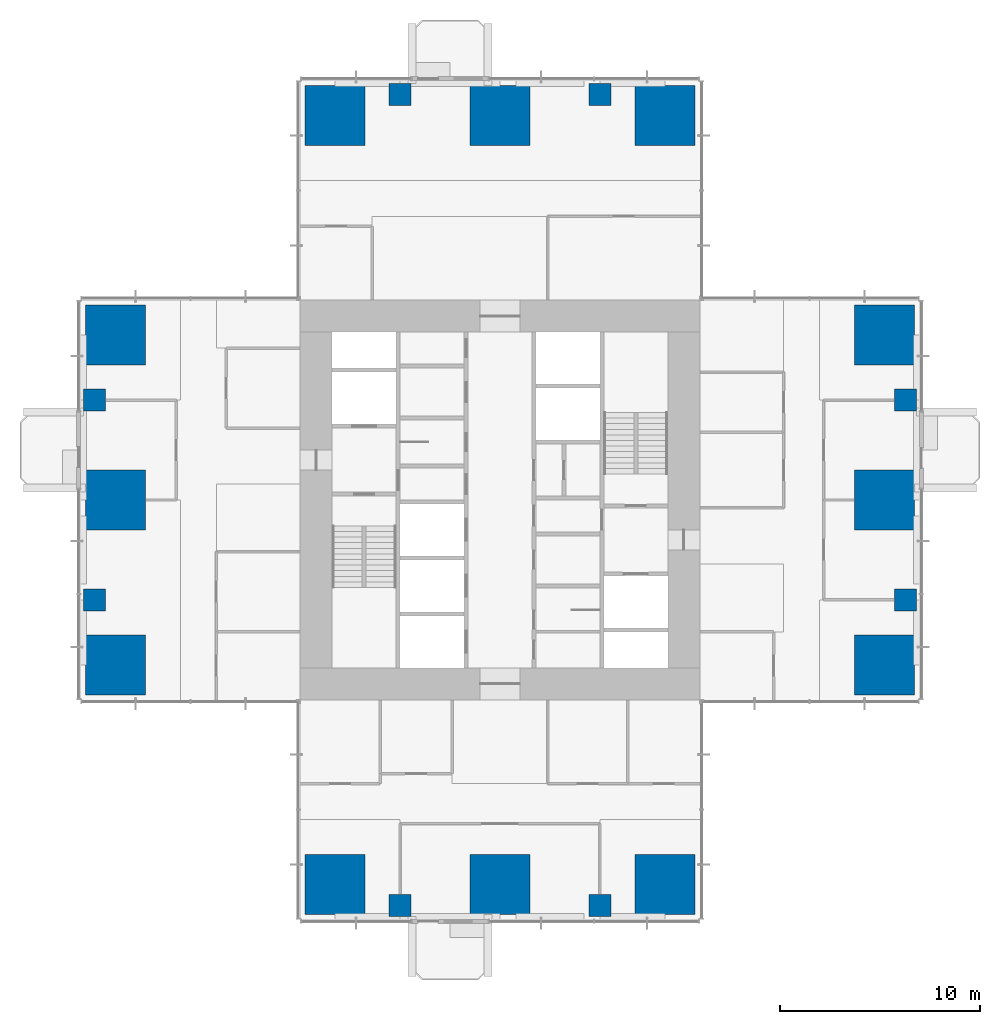
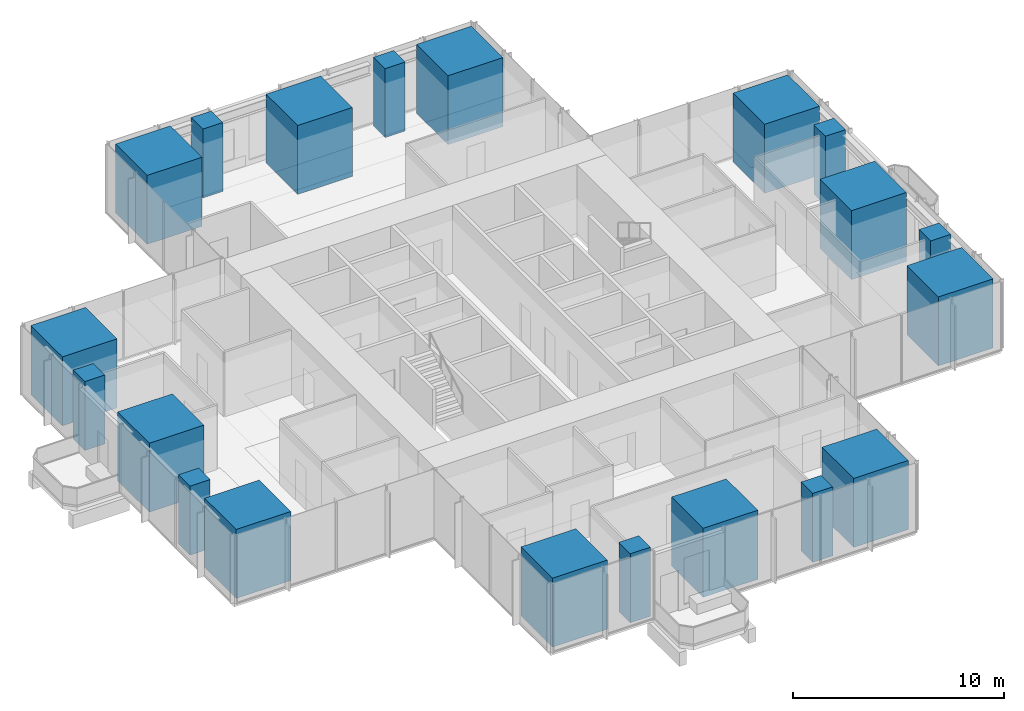
# One storey, part 1 of 13: 20 columns.
"""IFC4 building model written with IfcOpenShell, lengths in metres."""

from ifc_helpers import new_model, si_unit, direction, frame, origin, origin_2d, place, context, subcontext, project, spatial, rectangle, extrude, material, material_profile, profile_set, type_object, element, save


model = new_model("IFC4")

# Units and contexts
model_context = context("Model", 3, precision=1e-05, world=origin(), true_north=direction((0.0, 1.0)))
body_context = subcontext(model_context, "Body", "Model", "MODEL_VIEW")
ifc_project = project(units=[si_unit("LENGTHUNIT", "METRE"), si_unit("AREAUNIT", "SQUARE_METRE"), si_unit("VOLUMEUNIT", "CUBIC_METRE"), si_unit("PLANEANGLEUNIT", "RADIAN"), si_unit("MASSUNIT", "GRAM", prefix="KILO")], contexts=[model_context])

# Site, building, storey
site_placement = place(None, origin())
site = spatial("IfcSite", under=ifc_project, at=site_placement, CompositionType="ELEMENT")
building_placement = place(site_placement, origin())
building = spatial("IfcBuilding", under=site, at=building_placement, Name="Svetlomir Tower", CompositionType="ELEMENT")
storey_placement = place(building_placement, frame((0.0, 0.0, 148.5)))
storey = spatial("IfcBuildingStorey", under=building, at=storey_placement, Name="L35", CompositionType="ELEMENT", Elevation=148.5)

# Columns
ifc_material_1 = material(Name="Concrete C60/75", Category="concrete")
ifc_material_profile_1 = material_profile(ifc_material_1, rectangle(XDim=1.10009765625, YDim=1.10009765625, at=origin_2d()), Name="RC 1100x1100")
ifc_profile_set_1 = profile_set([ifc_material_profile_1], Name="Concrete C60/75")
column_type_1 = type_object("IfcColumnType", Name="COLUMN RC 1100x1100", PredefinedType="COLUMN", material=ifc_profile_set_1)
for number, where, z_axis, x_axis, name in (
    (1, (16.0, 0.699951171875, 0.0), (0.0, 0.0, 1.0), (1.0, 0.0, 0.0), "Column 16/0 L35"),
    (2, (26.0, 0.699951171875, 0.0), (0.0, 0.0, 1.0), (1.0, 0.0, 0.0), "Column 26/0 L35"),
    (3, (0.699951171875, 16.0, 0.0), (0.0, 0.0, 1.0), (1.0, 0.0, 0.0), "Column 0/16 L35"),
    (4, (41.300048828125, 16.0, 0.0), (0.0, 0.0, 1.0), (1.0, 0.0, 0.0), "Column 42/16 L35"),
    (5, (0.699951171875, 26.0, 0.0), (0.0, 0.0, 1.0), (1.0, 0.0, 0.0), "Column 0/26 L35"),
    (6, (41.300048828125, 26.0, 0.0), (0.0, 0.0, 1.0), (1.0, 0.0, 0.0), "Column 42/26 L35"),
    (7, (16.0, 41.300048828125, 0.0), (0.0, 0.0, 1.0), (1.0, 0.0, 0.0), "Column 16/42 L35"),
    (8, (26.0, 41.300048828125, 0.0), (0.0, 0.0, 1.0), (1.0, 0.0, 0.0), "Column 26/42 L35"),
):
    element("IfcColumn", number, at=place(storey_placement, frame(where, z_axis=z_axis, x_axis=x_axis)), inside=storey, type_object=column_type_1, Name=name, PredefinedType="COLUMN", context=body_context, shape_type="SweptSolid", body=[
        extrude(rectangle(XDim=1.10009765625, YDim=1.10009765625, at=origin_2d()), origin(), (0.0, 0.0, 1.0), 4.0),
    ])
ifc_material_2 = material(Name="Concrete C60/75", Category="concrete")
ifc_material_profile_2 = material_profile(ifc_material_2, rectangle(XDim=3.0, YDim=3.0, at=origin_2d()), Name="RC 3000x3000")
ifc_profile_set_2 = profile_set([ifc_material_profile_2], Name="Concrete C60/75")
column_type_2 = type_object("IfcColumnType", Name="COLUMN RC 3000x3000", PredefinedType="COLUMN", material=ifc_profile_set_2)
for number, where, z_axis, x_axis, name in (
    (9, (12.75, 1.75, 0.0), (0.0, 0.0, 1.0), (1.0, 0.0, 0.0), "Column 11/0 L35"),
    (10, (21.0, 1.75, 0.0), (0.0, 0.0, 1.0), (1.0, 0.0, 0.0), "Column 21/0 L35"),
    (11, (29.25, 1.75, 0.0), (0.0, 0.0, 1.0), (1.0, 0.0, 0.0), "Column 31/0 L35"),
    (12, (1.75, 12.75, 0.0), (0.0, 0.0, 1.0), (1.0, 0.0, 0.0), "Column 0/11 L35"),
    (13, (40.25, 12.75, 0.0), (0.0, 0.0, 1.0), (1.0, 0.0, 0.0), "Column 42/11 L35"),
    (14, (1.75, 21.0, 0.0), (0.0, 0.0, 1.0), (1.0, 0.0, 0.0), "Column 0/21 L35"),
    (15, (40.25, 21.0, 0.0), (0.0, 0.0, 1.0), (1.0, 0.0, 0.0), "Column 42/21 L35"),
    (16, (1.75, 29.25, 0.0), (0.0, 0.0, 1.0), (1.0, 0.0, 0.0), "Column 0/31 L35"),
    (17, (40.25, 29.25, 0.0), (0.0, 0.0, 1.0), (1.0, 0.0, 0.0), "Column 42/31 L35"),
    (18, (12.75, 40.25, 0.0), (0.0, 0.0, 1.0), (1.0, 0.0, 0.0), "Column 11/42 L35"),
    (19, (21.0, 40.25, 0.0), (0.0, 0.0, 1.0), (1.0, 0.0, 0.0), "Column 21/42 L35"),
    (20, (29.25, 40.25, 0.0), (0.0, 0.0, 1.0), (1.0, 0.0, 0.0), "Column 31/42 L35"),
):
    element("IfcColumn", number, at=place(storey_placement, frame(where, z_axis=z_axis, x_axis=x_axis)), inside=storey, type_object=column_type_2, Name=name, PredefinedType="COLUMN", context=body_context, shape_type="SweptSolid", body=[
        extrude(rectangle(XDim=3.0, YDim=3.0, at=origin_2d()), origin(), (0.0, 0.0, 1.0), 4.0),
    ])

save(model, "model.ifc")
